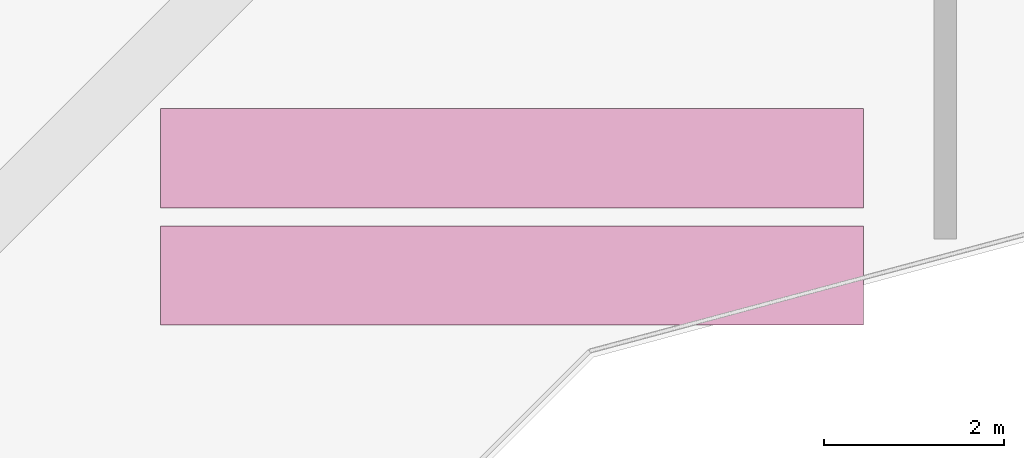
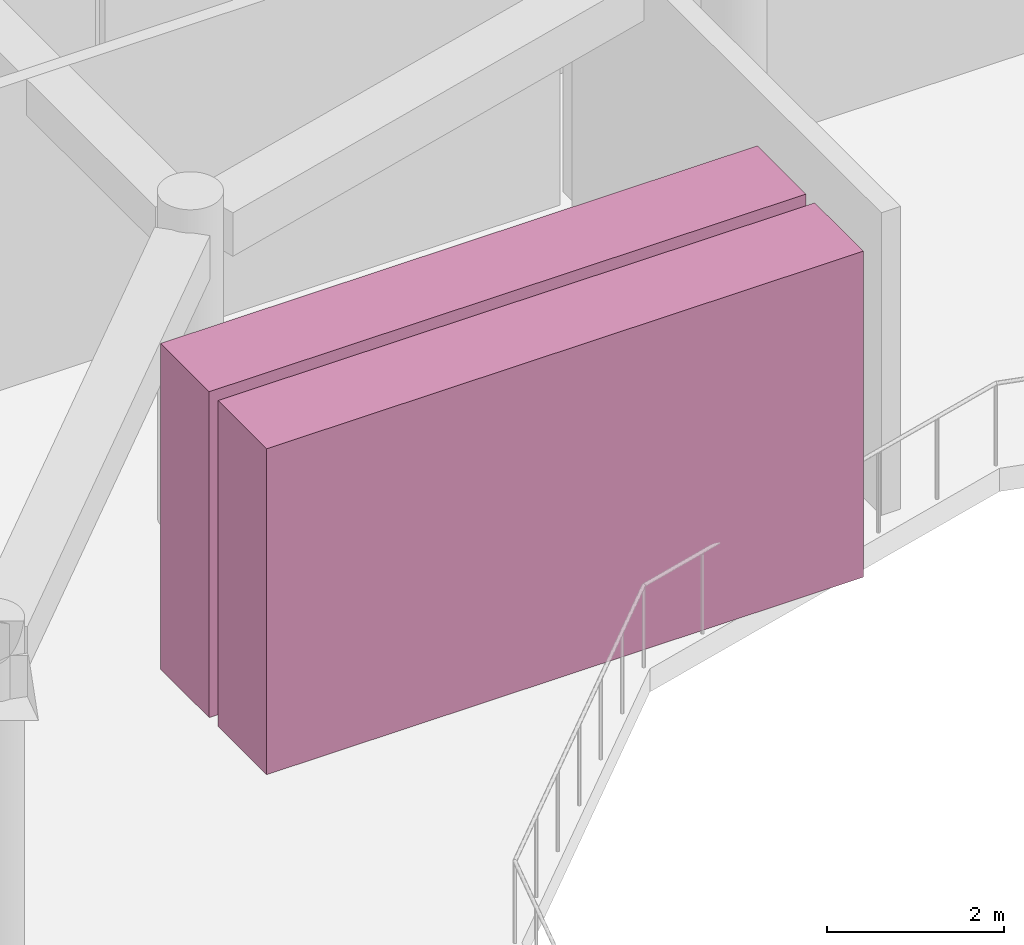
# One storey, part 111 of 111: 2 transport elements.
"""IFC4 building model written with IfcOpenShell, lengths in metres."""

from ifc_helpers import new_model, si_unit, derived_unit, direction, frame, origin, origin_2d, place, context, subcontext, project, spatial, rectangle, extrude, material, type_object, element, save


model = new_model("IFC4")

# Units and contexts
model_context = context("Model", 3, precision=1e-05, world=origin(), true_north=direction((0.0, 1.0)))
body_context = subcontext(model_context, "Body", "Model", "MODEL_VIEW")
ifc_project = project(units=[si_unit("LENGTHUNIT", "METRE"), si_unit("AREAUNIT", "SQUARE_METRE"), si_unit("VOLUMEUNIT", "CUBIC_METRE"), si_unit("PLANEANGLEUNIT", "RADIAN"), si_unit("MASSUNIT", "GRAM", prefix="KILO"), derived_unit("THERMALTRANSMITTANCEUNIT", [(si_unit("POWERUNIT", "WATT"), 1), (si_unit("LENGTHUNIT", "METRE"), -2), (si_unit("THERMODYNAMICTEMPERATUREUNIT", "KELVIN"), -1)])], contexts=[model_context])

# Site, building, storey
site_placement = place(None, origin())
site = spatial("IfcSite", under=ifc_project, at=site_placement, CompositionType="ELEMENT")
building_placement = place(site_placement, origin())
building = spatial("IfcBuilding", under=site, at=building_placement, Name="Veybourne Emporium", CompositionType="ELEMENT")
storey_placement = place(building_placement, frame((0.0, 0.0, 9.89990234375)))
storey = spatial("IfcBuildingStorey", under=building, at=storey_placement, Name="L02", CompositionType="ELEMENT", Elevation=9.89990234375)

# Transport elements
ifc_material = material(Name="Brushed Stainless Steel", Category="steel")
transport_element_type = type_object("IfcTransportElementType", Name="Escalator_ESC-01", PredefinedType="ESCALATOR", material=ifc_material)
for number, where, z_axis, x_axis, name in (
    (1, (69.300048828125, 60.661865234375, 0.0), (0.0, 0.0, 1.0), (1.0, 0.0, 0.0), "Atrium criss-cross escalator ES-05 (L02 to L03)"),
    (2, (69.300048828125, 61.9619140625, 0.0), (0.0, 0.0, 1.0), (1.0, 0.0, 0.0), "Atrium criss-cross escalator ES-06 (L02 to L03)"),
):
    element("IfcTransportElement", number, at=place(storey_placement, frame(where, z_axis=z_axis, x_axis=x_axis)), inside=storey, type_object=transport_element_type, Name=name, PredefinedType="ESCALATOR", context=body_context, shape_type="SweptSolid", body=[
        extrude(rectangle(XDim=7.7939453125, YDim=1.10009765625, at=origin_2d()), origin(), (0.0, 0.0, 1.0), 4.5),
    ])

save(model, "model.ifc")
